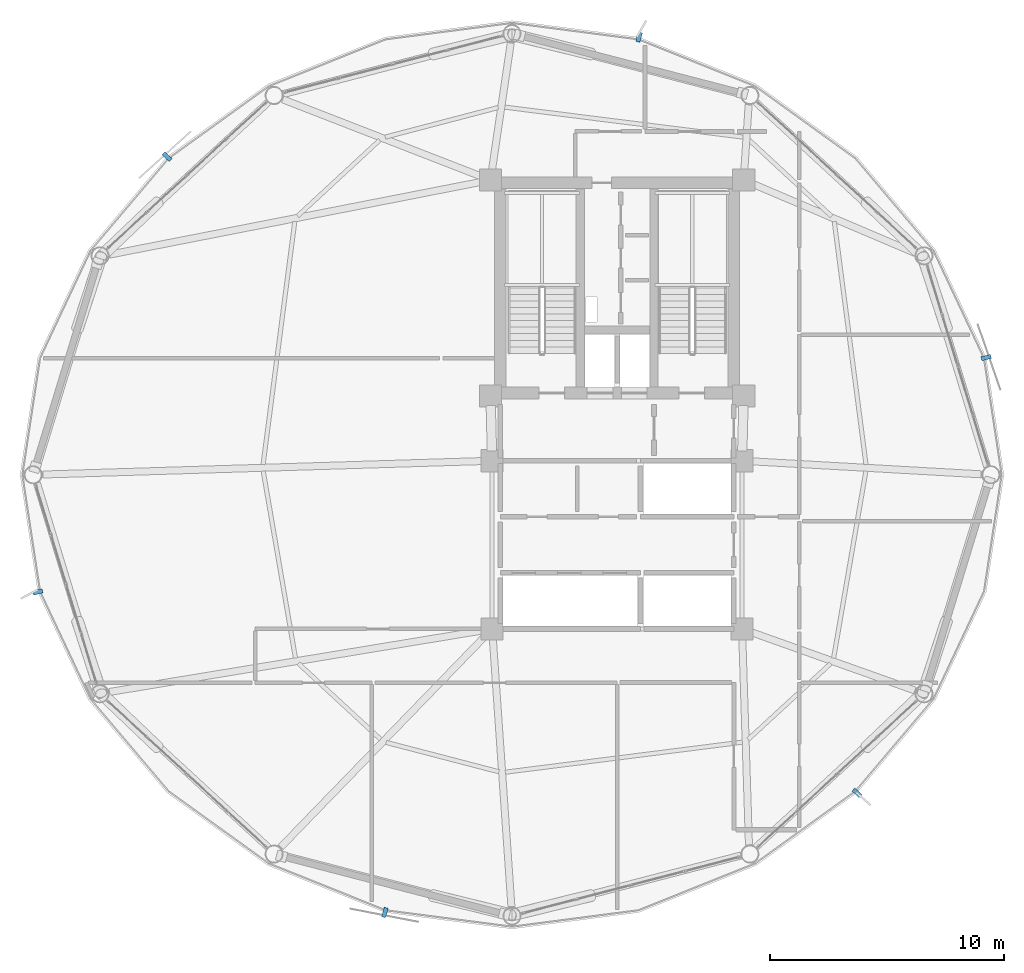
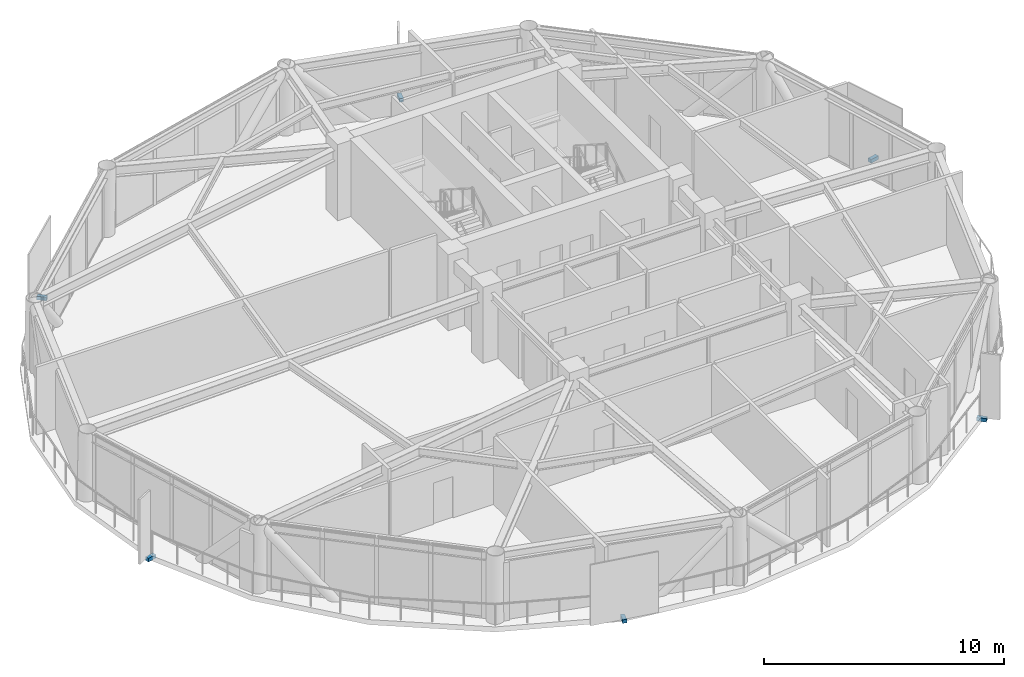
# One storey, part 23 of 26: 6 discrete accessories.
"""IFC4 building model written with IfcOpenShell, lengths in metres."""

from ifc_helpers import new_model, si_unit, direction, frame, origin, origin_2d, place, context, subcontext, project, spatial, rectangle, extrude, source, transform, mapped, material, type_object, type_shapes, element, save


model = new_model("IFC4")

# Units and contexts
model_context = context("Model", 3, precision=1e-05, world=origin(), true_north=direction((0.0, 1.0)))
body_context = subcontext(model_context, "Body", "Model", "MODEL_VIEW")
ifc_project = project(units=[si_unit("LENGTHUNIT", "METRE"), si_unit("AREAUNIT", "SQUARE_METRE"), si_unit("VOLUMEUNIT", "CUBIC_METRE"), si_unit("PLANEANGLEUNIT", "RADIAN"), si_unit("MASSUNIT", "GRAM", prefix="KILO")], contexts=[model_context])

# Site, building, storey
site_placement = place(None, origin())
site = spatial("IfcSite", under=ifc_project, at=site_placement, CompositionType="ELEMENT")
building_placement = place(site_placement, origin())
building = spatial("IfcBuilding", under=site, at=building_placement, Name="Varnakorn Sky Granary", CompositionType="ELEMENT")
storey_placement = place(building_placement, frame((0.0, 0.0, 165.60009765625)))
storey = spatial("IfcBuildingStorey", under=building, at=storey_placement, Name="L41", CompositionType="ELEMENT", Elevation=165.60009765625)

# Discrete accessories
ifc_material = material(Name="Steel S355JR", Category="steel")
discrete_accessory_type = type_object("IfcDiscreteAccessoryType", Name="AC-BRK-01", PredefinedType="BRACKET", material=ifc_material)
shared_shape = source(origin(), body_context, "Body", "SweptSolid", [
    extrude(rectangle(XDim=0.179931640625, YDim=0.419921875, at=origin_2d()), origin(), (0.0, 0.0, 1.0), 0.179931640625),
])
type_shapes(discrete_accessory_type, [shared_shape])
for number, where, z_axis, x_axis, name in (
    (1, (18.806396484375, 5.01953125, -0.2001953125), (0.0, 0.0, 1.0), (-0.239971121973, 0.970780026895, 0.0), "Facade Solar-Screen Outrigger Bracket L41-01"),
    (2, (3.943359375, 18.7412109375, -0.2001953125), (0.0, 0.0, 1.0), (-0.960314736583, 0.27891863814, 0.0), "Facade Solar-Screen Outrigger Bracket L41-03"),
    (3, (-16.272705078125, 13.62109375, -0.2001953125), (0.0, 0.0, 1.0), (-0.677868485597, -0.735183185495, 0.0), "Facade Solar-Screen Outrigger Bracket L41-05"),
    (4, (-21.806396484375, -5.01953125, -0.2001953125), (0.0, 0.0, 1.0), (0.239971121973, -0.970780026895, 0.0), "Facade Solar-Screen Outrigger Bracket L41-07"),
    (5, (-6.943359375, -18.7412109375, -0.2001953125), (0.0, 0.0, 1.0), (0.960314736583, -0.27891863814, 0.0), "Facade Solar-Screen Outrigger Bracket L41-09"),
    (6, (13.272705078125, -13.62109375, -0.2001953125), (0.0, 0.0, 1.0), (0.677868485597, 0.735183185495, 0.0), "Facade Solar-Screen Outrigger Bracket L41-11"),
):
    element("IfcDiscreteAccessory", number, at=place(storey_placement, frame(where, z_axis=z_axis, x_axis=x_axis)), inside=storey, type_object=discrete_accessory_type, Name=name, PredefinedType="BRACKET", context=body_context, shape_type="MappedRepresentation", body=[
        mapped(shared_shape, transform((0.0, 0.0, 0.0), x_axis=(1.0, 0.0, 0.0), y_axis=(0.0, 1.0, 0.0), z_axis=(0.0, 0.0, 1.0), scale=1.0)),
    ])

save(model, "model.ifc")
